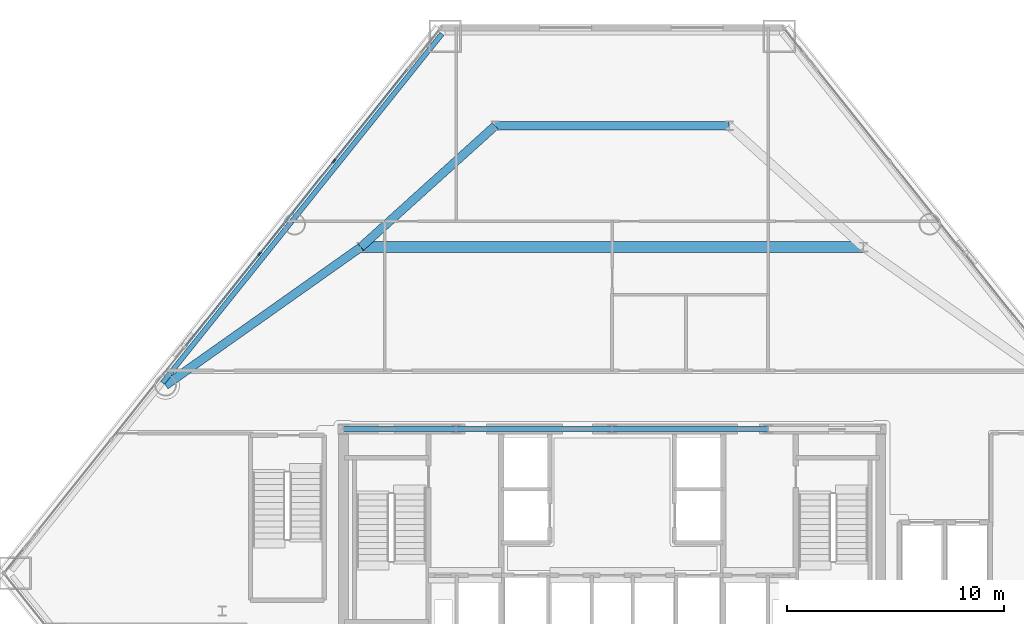
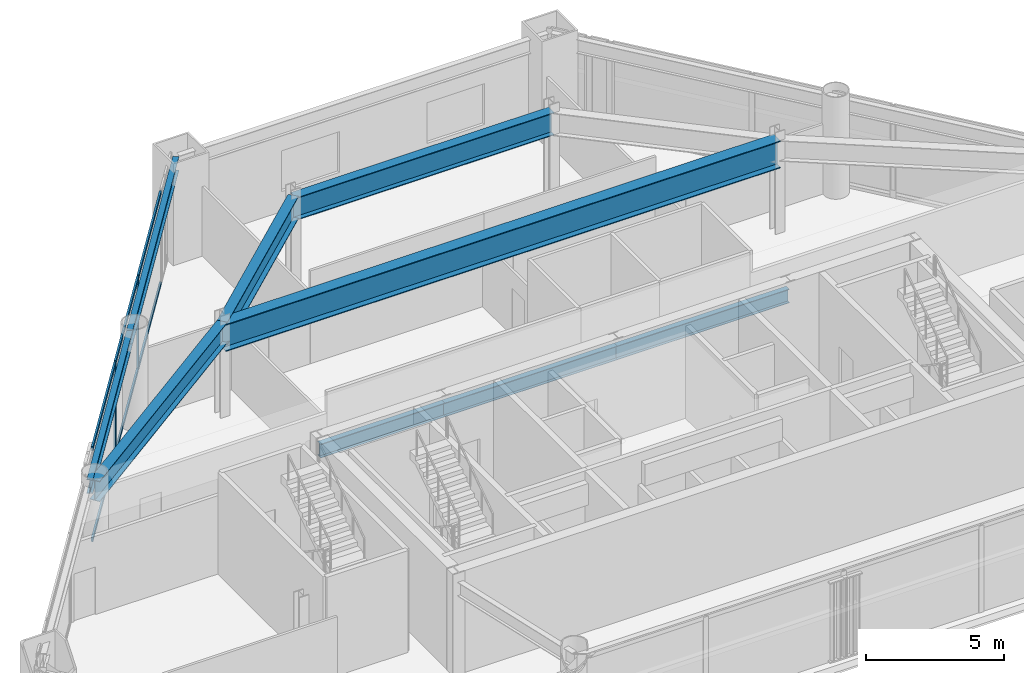
# One storey, part 4 of 13: 9 beams, 8 members, 1 element without a shape of its own.
"""IFC4 building model written with IfcOpenShell, lengths in metres."""

from ifc_helpers import new_model, si_unit, direction, frame, origin, origin_2d, place, context, subcontext, project, spatial, rectangle, i_section, extrude, material, layer, layer_set, material_profile, profile_set, type_object, element, aggregate, save


model = new_model("IFC4")

# Units and contexts
model_context = context("Model", 3, precision=1e-05, world=origin(), true_north=direction((0.0, 1.0)))
body_context = subcontext(model_context, "Body", "Model", "MODEL_VIEW")
ifc_project = project(units=[si_unit("LENGTHUNIT", "METRE"), si_unit("AREAUNIT", "SQUARE_METRE"), si_unit("VOLUMEUNIT", "CUBIC_METRE"), si_unit("PLANEANGLEUNIT", "RADIAN"), si_unit("MASSUNIT", "GRAM", prefix="KILO")], contexts=[model_context])

# Site, building, storey
site_placement = place(None, origin())
site = spatial("IfcSite", under=ifc_project, at=site_placement, CompositionType="ELEMENT")
building_placement = place(site_placement, origin())
building = spatial("IfcBuilding", under=site, at=building_placement, Name="Talgorran Terracotta Tower", CompositionType="ELEMENT")
storey_placement = place(building_placement, frame((0.0, 0.0, 14.39990234375)))
storey = spatial("IfcBuildingStorey", under=building, at=storey_placement, Name="L03", CompositionType="ELEMENT", Elevation=14.39990234375)

# Beams
ifc_material_1 = material(Name="Steel Grade 350 (350L0)", Category="steel")
ifc_material_profile_1 = material_profile(ifc_material_1, i_section(OverallWidth=0.39990234375, OverallDepth=1.0, WebThickness=0.01611328125, FlangeThickness=0.031005859375, at=origin_2d()), Name="1000WB296")
ifc_profile_set_1 = profile_set([ifc_material_profile_1], Name="Steel Grade 350 (350L0)")
beam_type_1 = type_object("IfcBeamType", Name="BM_1000WB296", PredefinedType="BEAM", material=ifc_profile_set_1)
beam_1_placement = place(storey_placement, frame((-11.60009765625, 4.199951171875, 3.60009765625), z_axis=(0.742107331558, 0.670281066754, 0.0), x_axis=(-0.670281066754, 0.742107331558, 0.0)))
element("IfcBeam", 1, at=beam_1_placement, inside=storey, type_object=beam_type_1, Name="L03 Podium Girder PG2", PredefinedType="BEAM", context=body_context, shape_type="SweptSolid", body=[
    extrude(i_section(OverallWidth=0.39990234375, OverallDepth=1.0, WebThickness=0.01611328125, FlangeThickness=0.031005859375, at=origin_2d()), origin(), (0.0, 0.0, 1.0), 8.354736328125),
])
beam_2_placement = place(storey_placement, frame((-5.39990234375, 9.800048828125, 3.60009765625), z_axis=(1.0, 0.0, 0.0), x_axis=(0.0, 1.0, 0.0)))
element("IfcBeam", 2, at=beam_2_placement, inside=storey, type_object=beam_type_1, Name="L03 Podium Girder PG4", PredefinedType="BEAM", context=body_context, shape_type="SweptSolid", body=[
    extrude(i_section(OverallWidth=0.39990234375, OverallDepth=1.0, WebThickness=0.01611328125, FlangeThickness=0.031005859375, at=origin_2d()), origin(), (0.0, 0.0, 1.0), 10.7998046875),
])
ifc_material_profile_2 = material_profile(ifc_material_1, i_section(OverallWidth=0.5, OverallDepth=1.199951171875, WebThickness=0.01611328125, FlangeThickness=0.035888671875, at=origin_2d()), Name="1200WB392")
ifc_profile_set_2 = profile_set([ifc_material_profile_2], Name="Steel Grade 350 (350L0)")
beam_type_2 = type_object("IfcBeamType", Name="BM_1200WB392", PredefinedType="BEAM", material=ifc_profile_set_2)
beam_3_placement = place(storey_placement, frame((-11.60009765625, 4.199951171875, 3.5), z_axis=(1.0, 0.0, 0.0), x_axis=(0.0, 1.0, 0.0)))
element("IfcBeam", 3, at=beam_3_placement, inside=storey, type_object=beam_type_2, Name="L03 Podium Girder PG1", PredefinedType="BEAM", context=body_context, shape_type="SweptSolid", body=[
    extrude(i_section(OverallWidth=0.5, OverallDepth=1.199951171875, WebThickness=0.01611328125, FlangeThickness=0.035888671875, at=origin_2d()), origin(), (0.0, 0.0, 1.0), 23.2001953125),
])
ifc_material_profile_3 = material_profile(ifc_material_1, i_section(OverallWidth=0.39990234375, OverallDepth=0.907958984375, WebThickness=0.01611328125, FlangeThickness=0.02490234375, at=origin_2d()), Name="900WB257")
ifc_profile_set_3 = profile_set([ifc_material_profile_3], Name="Steel Grade 350 (350L0)")
beam_type_3 = type_object("IfcBeamType", Name="BM_900WB257", PredefinedType="BEAM", material=ifc_profile_set_3)
beam_4_placement = place(storey_placement, frame((-20.620361328125, -2.1787109375, 3.64599609375), z_axis=(0.816480686171, 0.577372747113, 0.0), x_axis=(-0.577372747113, 0.816480686171, 0.0)))
element("IfcBeam", 4, at=beam_4_placement, inside=storey, type_object=beam_type_3, Name="L03 Podium Girder PG7", PredefinedType="BEAM", context=body_context, shape_type="SweptSolid", body=[
    extrude(i_section(OverallWidth=0.39990234375, OverallDepth=0.907958984375, WebThickness=0.01611328125, FlangeThickness=0.02490234375, at=origin_2d()), origin(), (0.0, 0.0, 1.0), 11.0478515625),
])
ifc_material_2 = material(Name="Steel S355 (300PLUS)", Category="steel")
ifc_material_profile_4 = material_profile(ifc_material_2, i_section(OverallWidth=0.22900390625, OverallDepth=0.611572265625, WebThickness=0.011962890625, FlangeThickness=0.01953125, at=origin_2d()), Name="610UB125")
ifc_profile_set_4 = profile_set([ifc_material_profile_4], Name="Steel S355 (300PLUS)")
beam_type_4 = type_object("IfcBeamType", Name="BM_SP_610UB125", PredefinedType="SPANDREL", material=ifc_profile_set_4)
beam_5_placement = place(storey_placement, frame((-7.854736328125, 14.048583984375, 3.794189453125), z_axis=(-0.625115426811, -0.780532320383, 0.0), x_axis=(0.780532320383, -0.625115426811, 0.0)))
element("IfcBeam", 5, at=beam_5_placement, inside=storey, type_object=beam_type_4, Name="L03 Perimeter Spandrel Beam MC6-FC5", PredefinedType="SPANDREL", context=body_context, shape_type="SweptSolid", body=[
    extrude(i_section(OverallWidth=0.22900390625, OverallDepth=0.611572265625, WebThickness=0.011962890625, FlangeThickness=0.01953125, at=origin_2d()), origin(), (0.0, 0.0, 1.0), 11.1171875),
])
beam_6_placement = place(storey_placement, frame((-14.80419921875, 5.371337890625, 3.794189453125), z_axis=(-0.625101149619, -0.780543754536, 0.0), x_axis=(0.780543754536, -0.625101149619, 0.0)))
element("IfcBeam", 6, at=beam_6_placement, inside=storey, type_object=beam_type_4, Name="L03 Perimeter Spandrel Beam FC5-FC6", PredefinedType="SPANDREL", context=body_context, shape_type="SweptSolid", body=[
    extrude(i_section(OverallWidth=0.22900390625, OverallDepth=0.611572265625, WebThickness=0.011962890625, FlangeThickness=0.01953125, at=origin_2d()), origin(), (0.0, 0.0, 1.0), 9.52880859375),
])
beam_7_placement = place(storey_placement, frame((-12.39990234375, -4.199951171875, 3.794189453125), z_axis=(1.0, 0.0, 0.0), x_axis=(0.0, 1.0, 0.0)))
element("IfcBeam", 7, at=beam_7_placement, inside=storey, type_object=beam_type_4, Name="L03 Core Frame Beam CFN1", PredefinedType="SPANDREL", context=body_context, shape_type="SweptSolid", body=[
    extrude(i_section(OverallWidth=0.22900390625, OverallDepth=0.611572265625, WebThickness=0.011962890625, FlangeThickness=0.01953125, at=origin_2d()), origin(), (0.0, 0.0, 1.0), 5.199951171875),
])
for number, where, z_axis, x_axis, name in (
    (8, (-7.199951171875, -4.199951171875, 3.794189453125), (1.0, 0.0, 0.0), (0.0, 1.0, 0.0), "L03 Core Frame Beam CFN2"),
    (9, (0.0, -4.199951171875, 3.794189453125), (1.0, 0.0, 0.0), (0.0, 1.0, 0.0), "L03 Core Frame Beam CFN3"),
):
    element("IfcBeam", number, at=place(storey_placement, frame(where, z_axis=z_axis, x_axis=x_axis)), inside=storey, type_object=beam_type_4, Name=name, PredefinedType="SPANDREL", context=body_context, shape_type="SweptSolid", body=[
        extrude(i_section(OverallWidth=0.22900390625, OverallDepth=0.611572265625, WebThickness=0.011962890625, FlangeThickness=0.01953125, at=origin_2d()), origin(), (0.0, 0.0, 1.0), 7.199951171875),
    ])

# Curtain wall, members
ifc_material_3 = material(Name="Terracotta and Low-E Glazing", Category="masonry")
ifc_layer = layer(ifc_material_3, 0.219970703125, Name="CW_SYS1_PODIUM")
ifc_layer_set = layer_set([ifc_layer], Name="Terracotta and Low-E Glazing")
curtain_wall_type = type_object("IfcCurtainWallType", Name="CW_SYS1_PODIUM", PredefinedType="NOTDEFINED", material=ifc_layer_set)
curtain_wall_placement = place(storey_placement, origin())
curtain_wall = element("IfcCurtainWall", 10, at=curtain_wall_placement, inside=storey, type_object=curtain_wall_type, Name="CW-L03-F5C", PredefinedType="NOTDEFINED")
ifc_material_4 = material(Name="Architectural Aluminium 6063-T6", Category="aluminium")
ifc_material_profile_5 = material_profile(ifc_material_4, rectangle(XDim=0.074951171875, YDim=0.219970703125, at=origin_2d()), Name="CWM75X220")
ifc_profile_set_5 = profile_set([ifc_material_profile_5], Name="Architectural Aluminium 6063-T6")
member_type_1 = type_object("IfcMemberType", Name="MUL_75X220", PredefinedType="MULLION", material=ifc_profile_set_5)
member_1_placement = place(storey_placement, frame((-12.84423828125, 8.17041015625, 0.0), z_axis=(0.0, 0.0, 1.0), x_axis=(0.780531295105, -0.625116706993, 0.0)))
member_1 = element("IfcMember", 11, at=member_1_placement, type_object=member_type_1, Name="CW-L03-5C mullion 2", PredefinedType="MULLION", context=body_context, shape_type="SweptSolid", body=[
    extrude(rectangle(XDim=0.074951171875, YDim=0.219970703125, at=origin_2d()), origin(), (0.0, 0.0, 1.0), 4.10009765625),
])
member_2_placement = place(storey_placement, frame((-16.27490234375, 3.88671875, 0.0), z_axis=(0.0, 0.0, 1.0), x_axis=(0.780531295105, -0.625116706993, 0.0)))
member_2 = element("IfcMember", 12, at=member_2_placement, type_object=member_type_1, Name="CW-L03-5C mullion 3", PredefinedType="MULLION", context=body_context, shape_type="SweptSolid", body=[
    extrude(rectangle(XDim=0.074951171875, YDim=0.219970703125, at=origin_2d()), origin(), (0.0, 0.0, 1.0), 4.10009765625),
])
ifc_material_profile_6 = material_profile(ifc_material_4, rectangle(XDim=0.074951171875, YDim=0.179931640625, at=origin_2d()), Name="CWT75X180")
ifc_profile_set_6 = profile_set([ifc_material_profile_6], Name="Architectural Aluminium 6063-T6")
member_type_2 = type_object("IfcMemberType", Name="TRN_75X180", PredefinedType="USERDEFINED", material=ifc_profile_set_6)
member_3_placement = place(storey_placement, frame((-9.46044921875, 12.395751953125, 0.03759765625), z_axis=(-0.62509373302, -0.780549694087, 0.0), x_axis=(0.780549694087, -0.62509373302, 0.0)))
member_3 = element("IfcMember", 13, at=member_3_placement, type_object=member_type_2, Name="CW-L03-5C transom 1.1", ObjectType="TRANSOM", PredefinedType="USERDEFINED", context=body_context, shape_type="SweptSolid", body=[
    extrude(rectangle(XDim=0.074951171875, YDim=0.179931640625, at=origin_2d()), origin(), (0.0, 0.0, 1.0), 5.375732421875),
])
member_4_placement = place(storey_placement, frame((-9.46044921875, 12.395751953125, 4.0625), z_axis=(-0.62509373302, -0.780549694087, 0.0), x_axis=(0.780549694087, -0.62509373302, 0.0)))
member_4 = element("IfcMember", 14, at=member_4_placement, type_object=member_type_2, Name="CW-L03-5C transom 1.2", ObjectType="TRANSOM", PredefinedType="USERDEFINED", context=body_context, shape_type="SweptSolid", body=[
    extrude(rectangle(XDim=0.074951171875, YDim=0.179931640625, at=origin_2d()), origin(), (0.0, 0.0, 1.0), 5.375732421875),
])
member_5_placement = place(storey_placement, frame((-12.86767578125, 8.141357421875, 0.03759765625), z_axis=(-0.625090970373, -0.780551906511, 0.0), x_axis=(0.780551906511, -0.625090970373, 0.0)))
member_5 = element("IfcMember", 15, at=member_5_placement, type_object=member_type_2, Name="CW-L03-5C transom 2.1", ObjectType="TRANSOM", PredefinedType="USERDEFINED", context=body_context, shape_type="SweptSolid", body=[
    extrude(rectangle(XDim=0.074951171875, YDim=0.179931640625, at=origin_2d()), origin(), (0.0, 0.0, 1.0), 5.413330078125),
])
member_6_placement = place(storey_placement, frame((-12.86767578125, 8.141357421875, 4.0625), z_axis=(-0.625090970373, -0.780551906511, 0.0), x_axis=(0.780551906511, -0.625090970373, 0.0)))
member_6 = element("IfcMember", 16, at=member_6_placement, type_object=member_type_2, Name="CW-L03-5C transom 2.2", ObjectType="TRANSOM", PredefinedType="USERDEFINED", context=body_context, shape_type="SweptSolid", body=[
    extrude(rectangle(XDim=0.074951171875, YDim=0.179931640625, at=origin_2d()), origin(), (0.0, 0.0, 1.0), 5.413330078125),
])
member_7_placement = place(storey_placement, frame((-16.29833984375, 3.857666015625, 0.03759765625), z_axis=(-0.625118447113, -0.780529901464, 0.0), x_axis=(0.780529901464, -0.625118447113, 0.0)))
member_7 = element("IfcMember", 17, at=member_7_placement, type_object=member_type_2, Name="CW-L03-5C transom 3.1", ObjectType="TRANSOM", PredefinedType="USERDEFINED", context=body_context, shape_type="SweptSolid", body=[
    extrude(rectangle(XDim=0.074951171875, YDim=0.179931640625, at=origin_2d()), origin(), (0.0, 0.0, 1.0), 5.413330078125),
])
member_8_placement = place(storey_placement, frame((-16.29833984375, 3.857666015625, 4.0625), z_axis=(-0.625118447113, -0.780529901464, 0.0), x_axis=(0.780529901464, -0.625118447113, 0.0)))
member_8 = element("IfcMember", 18, at=member_8_placement, type_object=member_type_2, Name="CW-L03-5C transom 3.2", ObjectType="TRANSOM", PredefinedType="USERDEFINED", context=body_context, shape_type="SweptSolid", body=[
    extrude(rectangle(XDim=0.074951171875, YDim=0.179931640625, at=origin_2d()), origin(), (0.0, 0.0, 1.0), 5.413330078125),
])
aggregate(curtain_wall, [member_1, member_2, member_3, member_4, member_5, member_6, member_7, member_8])

save(model, "model.ifc")
